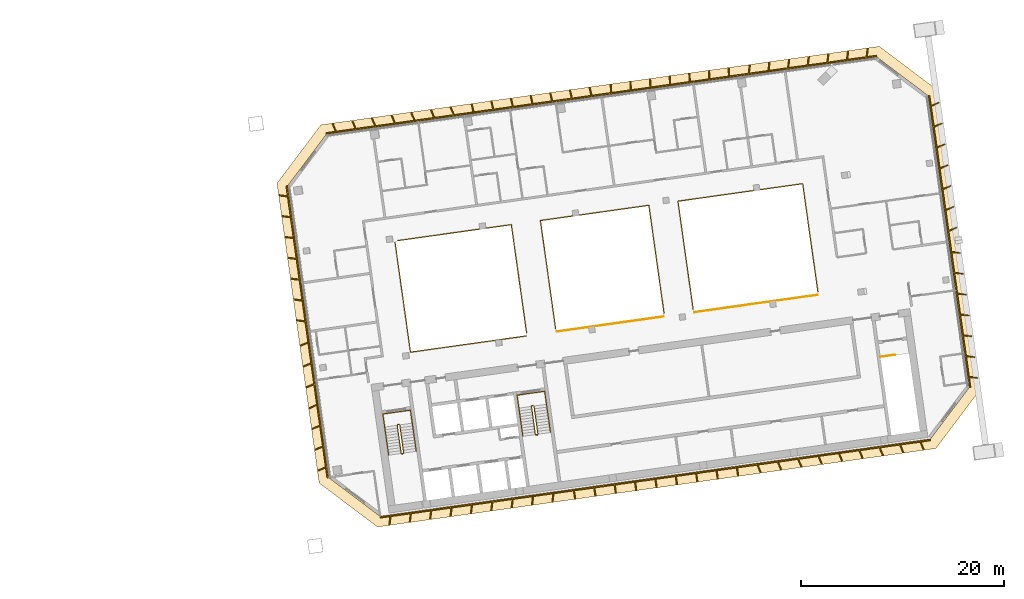
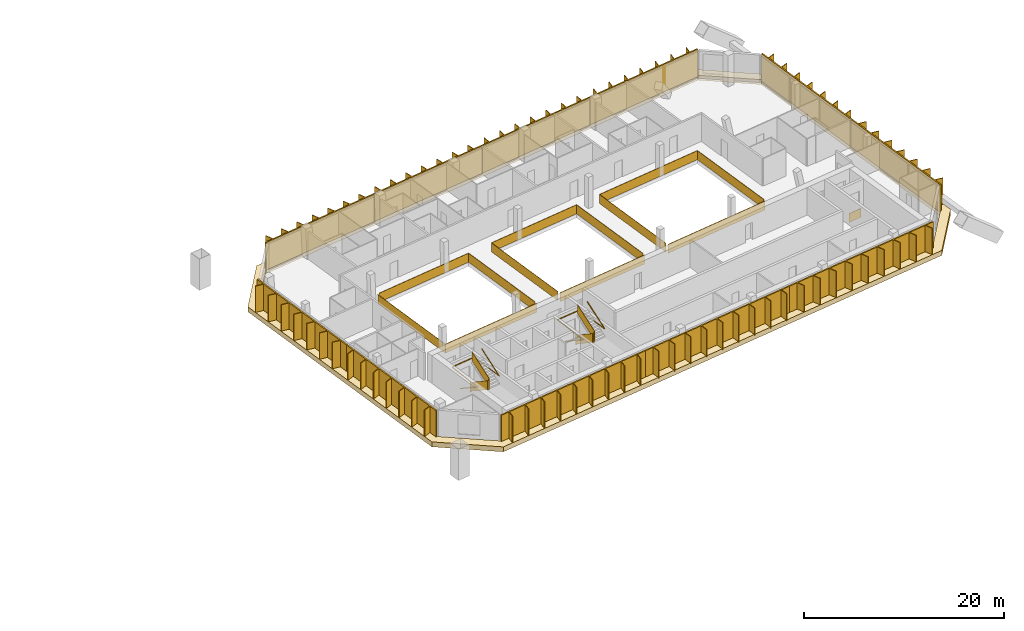
# One storey, part 32 of 32: 11 railings, 11 shading devices, 1 covering.
"""IFC4 building model written with IfcOpenShell, lengths in metres."""

from ifc_helpers import new_model, si_unit, direction, frame, origin, origin_2d, place, context, subcontext, project, spatial, polyline, rectangle, outline, extrude, material, layer, layer_set, type_object, element, save


model = new_model("IFC4")

# Units and contexts
model_context = context("Model", 3, precision=1e-05, world=origin(), true_north=direction((0.0, 1.0)))
body_context = subcontext(model_context, "Body", "Model", "MODEL_VIEW")
ifc_project = project(units=[si_unit("LENGTHUNIT", "METRE"), si_unit("AREAUNIT", "SQUARE_METRE"), si_unit("VOLUMEUNIT", "CUBIC_METRE"), si_unit("PLANEANGLEUNIT", "RADIAN"), si_unit("MASSUNIT", "GRAM", prefix="KILO")], contexts=[model_context])

# Site, building, storey
site_placement = place(None, origin())
site = spatial("IfcSite", under=ifc_project, at=site_placement, CompositionType="ELEMENT")
building_placement = place(site_placement, origin())
building = spatial("IfcBuilding", under=site, at=building_placement, Name="Mirante Cascada Hotel Towers", CompositionType="ELEMENT")
storey_placement = place(building_placement, frame((0.0, 0.0, 176.4)))
storey = spatial("IfcBuildingStorey", under=building, at=storey_placement, Name="L41", CompositionType="ELEMENT", Elevation=176.4)

# Railings
ifc_material_1 = material(Name="Toughened glass with stainless steel handrail", Category="steel")
railing_type_1 = type_object("IfcRailingType", Name="Atrium guard 1100 glass balustrade", PredefinedType="GUARDRAIL", material=ifc_material_1)
railing_1_placement = place(storey_placement, frame((37.864, 6.7125, 0.0)))
element("IfcRailing", 1, at=railing_1_placement, inside=storey, type_object=railing_type_1, Name="GUARD 2-L41-1", PredefinedType="GUARDRAIL", context=body_context, shape_type="SweptSolid", body=[
    extrude(rectangle(XDim=0.048, YDim=0.048, at=origin_2d()), frame((0.0, 0.0, 1.076), z_axis=(0.1391712, -0.9902683, 0.0), x_axis=(0.9902683, 0.1391712, 0.0)), (0.0, 0.0, 1.0), 10.9333),
    extrude(rectangle(XDim=0.02, YDim=1.052, at=origin_2d()), frame((0.0, 0.0, 0.526), z_axis=(0.1391712, -0.9902683, 0.0), x_axis=(0.9902683, 0.1391712, 0.0)), (0.0, 0.0, 1.0), 10.9333),
    extrude(rectangle(XDim=0.048, YDim=0.048, at=origin_2d()), frame((1.5216, -10.8269, 1.076), z_axis=(0.9902679, 0.139174, 0.0), x_axis=(-0.139174, 0.9902679, 0.0)), (0.0, 0.0, 1.0), 11.5266),
    extrude(rectangle(XDim=0.02, YDim=1.052, at=origin_2d()), frame((1.5216, -10.8269, 0.526), z_axis=(0.9902679, 0.139174, 0.0), x_axis=(-0.139174, 0.9902679, 0.0)), (0.0, 0.0, 1.0), 11.5266),
    extrude(rectangle(XDim=0.048, YDim=0.048, at=origin_2d()), frame((12.936, -9.2227, 1.076), z_axis=(-1.0, 0.0, 0.0), x_axis=(0.0, -1.0, 0.0)), (0.0, 0.0, 1.0), 0.0001),
    extrude(rectangle(XDim=0.02, YDim=1.052, at=origin_2d()), frame((12.936, -9.2227, 0.526), z_axis=(-1.0, 0.0, 0.0), x_axis=(0.0, -1.0, 0.0)), (0.0, 0.0, 1.0), 0.0001),
])
railing_2_placement = place(storey_placement, frame((53.7708, -2.0926, 0.0)))
element("IfcRailing", 2, at=railing_2_placement, inside=storey, type_object=railing_type_1, Name="GUARD 2-L41-2", PredefinedType="GUARDRAIL", context=body_context, shape_type="SweptSolid", body=[
    extrude(rectangle(XDim=0.048, YDim=0.048, at=origin_2d()), frame((0.0, 0.0, 1.076), z_axis=(0.9902684, 0.139171, 0.0), x_axis=(-0.139171, 0.9902684, 0.0)), (0.0, 0.0, 1.0), 10.6775),
    extrude(rectangle(XDim=0.02, YDim=1.052, at=origin_2d()), frame((0.0, 0.0, 0.526), z_axis=(0.9902684, 0.139171, 0.0), x_axis=(-0.139171, 0.9902684, 0.0)), (0.0, 0.0, 1.0), 10.6775),
])
railing_3_placement = place(storey_placement, frame((67.3152, -0.1891, 0.0)))
element("IfcRailing", 3, at=railing_3_placement, inside=storey, type_object=railing_type_1, Name="GUARD 2-L41-3", PredefinedType="GUARDRAIL", context=body_context, shape_type="SweptSolid", body=[
    extrude(rectangle(XDim=0.048, YDim=0.048, at=origin_2d()), frame((0.0, 0.0, 1.076), z_axis=(0.9902677, 0.1391757, 0.0), x_axis=(-0.1391757, 0.9902677, 0.0)), (0.0, 0.0, 1.0), 12.296),
    extrude(rectangle(XDim=0.02, YDim=1.052, at=origin_2d()), frame((0.0, 0.0, 0.526), z_axis=(0.9902677, 0.1391757, 0.0), x_axis=(-0.1391757, 0.9902677, 0.0)), (0.0, 0.0, 1.0), 12.296),
    extrude(rectangle(XDim=0.048, YDim=0.048, at=origin_2d()), frame((12.1763, 1.7113, 1.076), z_axis=(-0.9902511, -0.1392936, 0.0), x_axis=(0.1392936, -0.9902511, 0.0)), (0.0, 0.0, 1.0), 0.1185),
    extrude(rectangle(XDim=0.02, YDim=1.052, at=origin_2d()), frame((12.1763, 1.7113, 0.526), z_axis=(-0.9902511, -0.1392936, 0.0), x_axis=(0.1392936, -0.9902511, 0.0)), (0.0, 0.0, 1.0), 0.1185),
])
railing_4_placement = place(storey_placement, frame((50.8074, -2.2106, 0.0)))
element("IfcRailing", 4, at=railing_4_placement, inside=storey, type_object=railing_type_1, Name="GUARD 2-L41-4", PredefinedType="GUARDRAIL", context=body_context, shape_type="SweptSolid", body=[
    extrude(rectangle(XDim=0.048, YDim=0.048, at=origin_2d()), frame((0.0, 0.0, 1.076), z_axis=(-0.1391715, 0.9902683, 0.0), x_axis=(-0.9902683, -0.1391715, 0.0)), (0.0, 0.0, 1.0), 10.7544),
    extrude(rectangle(XDim=0.02, YDim=1.052, at=origin_2d()), frame((0.0, 0.0, 0.526), z_axis=(-0.1391715, 0.9902683, 0.0), x_axis=(-0.9902683, -0.1391715, 0.0)), (0.0, 0.0, 1.0), 10.7544),
    extrude(rectangle(XDim=0.048, YDim=0.048, at=origin_2d()), frame((-1.4967, 10.6497, 1.076), z_axis=(-0.9902689, -0.1391672, 0.0), x_axis=(0.1391672, -0.9902689, 0.0)), (0.0, 0.0, 1.0), 11.2994),
    extrude(rectangle(XDim=0.02, YDim=1.052, at=origin_2d()), frame((-1.4967, 10.6497, 0.526), z_axis=(-0.9902689, -0.1391672, 0.0), x_axis=(0.1391672, -0.9902689, 0.0)), (0.0, 0.0, 1.0), 11.2994),
])
railing_5_placement = place(storey_placement, frame((64.3518, -0.307, 0.0)))
element("IfcRailing", 5, at=railing_5_placement, inside=storey, type_object=railing_type_1, Name="GUARD 2-L41-5", PredefinedType="GUARDRAIL", context=body_context, shape_type="SweptSolid", body=[
    extrude(rectangle(XDim=0.048, YDim=0.048, at=origin_2d()), frame((0.0, 0.0, 1.076), z_axis=(-0.1391715, 0.9902683, 0.0), x_axis=(-0.9902683, -0.1391715, 0.0)), (0.0, 0.0, 1.0), 10.7544),
    extrude(rectangle(XDim=0.02, YDim=1.052, at=origin_2d()), frame((0.0, 0.0, 0.526), z_axis=(-0.1391715, 0.9902683, 0.0), x_axis=(-0.9902683, -0.1391715, 0.0)), (0.0, 0.0, 1.0), 10.7544),
    extrude(rectangle(XDim=0.048, YDim=0.048, at=origin_2d()), frame((-1.4967, 10.6497, 1.076), z_axis=(-0.9902677, -0.1391759, 0.0), x_axis=(0.1391759, -0.9902677, 0.0)), (0.0, 0.0, 1.0), 10.7756),
    extrude(rectangle(XDim=0.02, YDim=1.052, at=origin_2d()), frame((-1.4967, 10.6497, 0.526), z_axis=(-0.9902677, -0.1391759, 0.0), x_axis=(0.1391759, -0.9902677, 0.0)), (0.0, 0.0, 1.0), 10.7756),
    extrude(rectangle(XDim=0.048, YDim=0.048, at=origin_2d()), frame((-12.1674, 9.15, 1.076), z_axis=(0.1391715, -0.9902683, 0.0), x_axis=(0.9902683, 0.1391715, 0.0)), (0.0, 0.0, 1.0), 10.7544),
    extrude(rectangle(XDim=0.02, YDim=1.052, at=origin_2d()), frame((-12.1674, 9.15, 0.526), z_axis=(0.1391715, -0.9902683, 0.0), x_axis=(0.9902683, 0.1391715, 0.0)), (0.0, 0.0, 1.0), 10.7544),
])
railing_6_placement = place(storey_placement, frame((79.4999, 1.8217, 0.0)))
element("IfcRailing", 6, at=railing_6_placement, inside=storey, type_object=railing_type_1, Name="GUARD 2-L41-6", PredefinedType="GUARDRAIL", context=body_context, shape_type="SweptSolid", body=[
    extrude(rectangle(XDim=0.048, YDim=0.048, at=origin_2d()), frame((0.0, 0.0, 1.076), z_axis=(-0.1391689, 0.9902687, 0.0), x_axis=(-0.9902687, -0.1391689, 0.0)), (0.0, 0.0, 1.0), 10.7546),
    extrude(rectangle(XDim=0.02, YDim=1.052, at=origin_2d()), frame((0.0, 0.0, 0.526), z_axis=(-0.1391689, 0.9902687, 0.0), x_axis=(-0.9902687, -0.1391689, 0.0)), (0.0, 0.0, 1.0), 10.7546),
    extrude(rectangle(XDim=0.048, YDim=0.048, at=origin_2d()), frame((-1.4967, 10.6499, 1.076), z_axis=(-0.9902687, -0.1391688, 0.0), x_axis=(0.1391688, -0.9902687, 0.0)), (0.0, 0.0, 1.0), 12.395),
    extrude(rectangle(XDim=0.02, YDim=1.052, at=origin_2d()), frame((-1.4967, 10.6499, 0.526), z_axis=(-0.9902687, -0.1391688, 0.0), x_axis=(0.1391688, -0.9902687, 0.0)), (0.0, 0.0, 1.0), 12.395),
    extrude(rectangle(XDim=0.048, YDim=0.048, at=origin_2d()), frame((-13.7711, 8.9249, 1.076), z_axis=(0.1391702, -0.9902685, 0.0), x_axis=(0.9902685, 0.1391702, 0.0)), (0.0, 0.0, 1.0), 10.7545),
    extrude(rectangle(XDim=0.02, YDim=1.052, at=origin_2d()), frame((-13.7711, 8.9249, 0.526), z_axis=(0.1391702, -0.9902685, 0.0), x_axis=(0.9902685, 0.1391702, 0.0)), (0.0, 0.0, 1.0), 10.7545),
])

# Covering
ifc_material_2 = material(Name="Precast concrete C40/50 white", Category="concrete")
ifc_layer = layer(ifc_material_2, 0.6)
ifc_layer_set = layer_set([ifc_layer], Name="Precast concrete SUNSHADE band 1000x600")
covering_type = type_object("IfcCoveringType", Name="Precast concrete SUNSHADE band 1000x600", PredefinedType="CLADDING", material=ifc_layer_set)
covering_placement = place(storey_placement, frame((0.0, 0.0, -0.45)))
element("IfcCovering", 7, at=covering_placement, inside=storey, type_object=covering_type, Name="Precast concrete SUNSHADE band T2 L41", PredefinedType="CLADDING", context=body_context, shape_type="SweptSolid", body=[
    extrude(outline(polyline([(26.2308, 12.5311), (30.5593, 18.2752), (85.5574, 26.0046), (91.3015, 21.6761), (93.106, 8.8361), (93.0803, 8.8271), (93.0427, 8.8096), (93.007, 8.7886), (92.9735, 8.7641), (92.9425, 8.7365), (92.9145, 8.706), (92.8895, 8.6729), (92.868, 8.6375), (92.85, 8.6001), (92.8357, 8.5612), (92.8254, 8.521), (92.819, 8.4801), (92.8166, 8.4387), (92.8184, 8.3972), (92.8792, 7.7301), (92.885, 7.6891), (92.8947, 7.6488), (92.9084, 7.6097), (92.9259, 7.5721), (92.9469, 7.5363), (92.9714, 7.5029), (92.999, 7.4719), (93.0295, 7.4439), (93.0627, 7.4189), (93.0981, 7.3973), (93.1354, 7.3793), (93.1744, 7.3651), (93.2145, 7.3547), (93.2555, 7.3483), (93.2969, 7.346), (93.3154, 7.3468), (93.439, 6.4674), (93.421, 6.463), (93.3818, 6.4494), (93.3442, 6.4319), (93.3085, 6.4109), (93.275, 6.3865), (93.244, 6.3589), (93.2159, 6.3284), (93.191, 6.2953), (93.1694, 6.2599), (93.1513, 6.2225), (93.1371, 6.1836), (93.1267, 6.1435), (93.1202, 6.1025), (93.1179, 6.0611), (93.1196, 6.0197), (93.1253, 5.9786), (93.2508, 5.3206), (93.2605, 5.2803), (93.2742, 5.2412), (93.2916, 5.2036), (93.3126, 5.1678), (93.3371, 5.1343), (93.3647, 5.1034), (93.3951, 5.0753), (93.4283, 5.0503), (93.4636, 5.0287), (93.501, 5.0107), (93.5399, 4.9964), (93.58, 4.986), (93.621, 4.9796), (93.6483, 4.9781), (95.4528, -7.862), (91.1243, -13.6061), (36.1262, -21.3356), (30.3821, -17.0071), (26.2308, 12.5311)]), holes=[polyline([(94.4049, -7.591), (90.3689, 21.1268), (85.2864, 24.9567), (31.1086, 17.3425), (27.2787, 12.26), (31.3147, -16.4577), (36.3972, -20.2877), (90.575, -12.6735), (94.4049, -7.591)])]), origin(), (0.0, 0.0, 1.0), 0.6),
])

# Railings
ifc_material_3 = material(Name="Painted steel", Category="steel")
railing_type_2 = type_object("IfcRailingType", Name="Stair guard 1100 steel balustrade", PredefinedType="GUARDRAIL", material=ifc_material_3)
railing_7_placement = place(storey_placement, frame((38.2663, -11.2395, 0.0)))
element("IfcRailing", 8, at=railing_7_placement, inside=storey, type_object=railing_type_2, Name="L41 ST2-A stair guard 1", PredefinedType="GUARDRAIL", context=body_context, shape_type="SweptSolid", body=[
    extrude(rectangle(XDim=0.048, YDim=0.048, at=origin_2d()), frame((0.0, 0.0, 1.076), z_axis=(-0.9903326, -0.1387133, 0.0), x_axis=(0.1387133, -0.9903326, 0.0)), (0.0, 0.0, 1.0), 0.1499),
    extrude(rectangle(XDim=0.02, YDim=1.052, at=origin_2d()), frame((0.0, 0.0, 0.526), z_axis=(-0.9903326, -0.1387133, 0.0), x_axis=(0.1387133, -0.9903326, 0.0)), (0.0, 0.0, 1.0), 0.1499),
    extrude(rectangle(XDim=0.048, YDim=0.048, at=origin_2d()), frame((-0.1485, -0.0208, 1.076), z_axis=(-0.6020331, -0.7984711, 0.0), x_axis=(0.7984711, -0.6020331, 0.0)), (0.0, 0.9253398, 0.3791387), 0.1866),
    extrude(rectangle(XDim=0.02, YDim=1.052, at=origin_2d()), frame((-0.1485, -0.0208, 0.526), z_axis=(-0.6020331, -0.7984711, 0.0), x_axis=(0.7984711, -0.6020331, 0.0)), (0.0, 0.9253398, 0.3791387), 0.1866),
    extrude(rectangle(XDim=0.048, YDim=0.048, at=origin_2d()), frame((-0.1911, -0.0773, 1.2487), z_axis=(0.139176, -0.9902677, 0.0), x_axis=(0.9902677, 0.139176, 0.0)), (0.0, 0.5250212, 0.8510891), 3.29),
    extrude(rectangle(XDim=0.02, YDim=1.052, at=origin_2d()), frame((-0.1911, -0.0773, 0.6987), z_axis=(0.139176, -0.9902677, 0.0), x_axis=(0.9902677, 0.139176, 0.0)), (0.0, 0.5250212, 0.8510891), 3.29),
    extrude(rectangle(XDim=0.048, YDim=0.048, at=origin_2d()), frame((0.1986, -2.8501, 2.976), z_axis=(0.9944948, -0.1047858, 0.0), x_axis=(0.1047858, 0.9944948, 0.0)), (0.0, 0.0, 1.0), 0.2061),
    extrude(rectangle(XDim=0.02, YDim=1.052, at=origin_2d()), frame((0.1986, -2.8501, 2.426), z_axis=(0.9944948, -0.1047858, 0.0), x_axis=(0.1047858, 0.9944948, 0.0)), (0.0, 0.0, 1.0), 0.2061),
    extrude(rectangle(XDim=0.048, YDim=0.048, at=origin_2d()), frame((0.4036, -2.8717, 2.976), z_axis=(-0.9902408, -0.1393672, 0.0), x_axis=(0.1393672, -0.9902408, 0.0)), (0.0, 0.0, 1.0), 0.15),
    extrude(rectangle(XDim=0.02, YDim=1.052, at=origin_2d()), frame((0.4036, -2.8717, 2.426), z_axis=(-0.9902408, -0.1393672, 0.0), x_axis=(0.1393672, -0.9902408, 0.0)), (0.0, 0.0, 1.0), 0.15),
    extrude(rectangle(XDim=0.048, YDim=0.048, at=origin_2d()), frame((0.2551, -2.8926, 2.976), z_axis=(0.9270311, 0.3749843, 0.0), x_axis=(-0.3749843, 0.9270311, 0.0)), (0.0, 0.6421903, 0.7665452), 0.2689),
    extrude(rectangle(XDim=0.02, YDim=1.052, at=origin_2d()), frame((0.2551, -2.8926, 2.426), z_axis=(0.9270311, 0.3749843, 0.0), x_axis=(-0.3749843, 0.9270311, 0.0)), (0.0, 0.6421903, 0.7665452), 0.2689),
    extrude(rectangle(XDim=0.048, YDim=0.048, at=origin_2d()), frame((0.4462, -2.8153, 3.1487), z_axis=(-0.139176, 0.9902677, 0.0), x_axis=(-0.9902677, -0.139176, 0.0)), (0.0, 0.5250212, 0.8510891), 3.29),
    extrude(rectangle(XDim=0.02, YDim=1.052, at=origin_2d()), frame((0.4462, -2.8153, 2.5987), z_axis=(-0.139176, 0.9902677, 0.0), x_axis=(-0.9902677, -0.139176, 0.0)), (0.0, 0.5250212, 0.8510891), 3.29),
])
railing_8_placement = place(storey_placement, frame((51.4864, -9.3815, 0.0)))
element("IfcRailing", 9, at=railing_8_placement, inside=storey, type_object=railing_type_2, Name="L41 ST2-B stair guard 1", PredefinedType="GUARDRAIL", context=body_context, shape_type="SweptSolid", body=[
    extrude(rectangle(XDim=0.048, YDim=0.048, at=origin_2d()), frame((0.0, 0.0, 1.076), z_axis=(-0.9902408, -0.1393672, 0.0), x_axis=(0.1393672, -0.9902408, 0.0)), (0.0, 0.0, 1.0), 0.15),
    extrude(rectangle(XDim=0.02, YDim=1.052, at=origin_2d()), frame((0.0, 0.0, 0.526), z_axis=(-0.9902408, -0.1393672, 0.0), x_axis=(0.1393672, -0.9902408, 0.0)), (0.0, 0.0, 1.0), 0.15),
    extrude(rectangle(XDim=0.048, YDim=0.048, at=origin_2d()), frame((-0.1485, -0.0209, 1.076), z_axis=(-0.6020331, -0.7984711, 0.0), x_axis=(0.7984711, -0.6020331, 0.0)), (0.0, 0.9253398, 0.3791387), 0.1866),
    extrude(rectangle(XDim=0.02, YDim=1.052, at=origin_2d()), frame((-0.1485, -0.0209, 0.526), z_axis=(-0.6020331, -0.7984711, 0.0), x_axis=(0.7984711, -0.6020331, 0.0)), (0.0, 0.9253398, 0.3791387), 0.1866),
    extrude(rectangle(XDim=0.048, YDim=0.048, at=origin_2d()), frame((-0.1911, -0.0774, 1.2487), z_axis=(0.139181, -0.990267, 0.0), x_axis=(0.990267, 0.139181, 0.0)), (0.0, 0.5250347, 0.8510808), 3.2899),
    extrude(rectangle(XDim=0.02, YDim=1.052, at=origin_2d()), frame((-0.1911, -0.0774, 0.6987), z_axis=(0.139181, -0.990267, 0.0), x_axis=(0.990267, 0.139181, 0.0)), (0.0, 0.5250347, 0.8510808), 3.2899),
    extrude(rectangle(XDim=0.048, YDim=0.048, at=origin_2d()), frame((0.1986, -2.8501, 2.976), z_axis=(0.9944441, -0.1052656, 0.0), x_axis=(0.1052656, 0.9944441, 0.0)), (0.0, 0.0, 1.0), 0.2061),
    extrude(rectangle(XDim=0.02, YDim=1.052, at=origin_2d()), frame((0.1986, -2.8501, 2.426), z_axis=(0.9944441, -0.1052656, 0.0), x_axis=(0.1052656, 0.9944441, 0.0)), (0.0, 0.0, 1.0), 0.2061),
    extrude(rectangle(XDim=0.048, YDim=0.048, at=origin_2d()), frame((0.4036, -2.8718, 2.976), z_axis=(-0.9902408, -0.1393672, 0.0), x_axis=(0.1393672, -0.9902408, 0.0)), (0.0, 0.0, 1.0), 0.15),
    extrude(rectangle(XDim=0.02, YDim=1.052, at=origin_2d()), frame((0.4036, -2.8718, 2.426), z_axis=(-0.9902408, -0.1393672, 0.0), x_axis=(0.1393672, -0.9902408, 0.0)), (0.0, 0.0, 1.0), 0.15),
    extrude(rectangle(XDim=0.048, YDim=0.048, at=origin_2d()), frame((0.2551, -2.8927, 2.976), z_axis=(0.9268624, 0.3754011, 0.0), x_axis=(-0.3754011, 0.9268624, 0.0)), (0.0, 0.6421217, 0.7666028), 0.269),
    extrude(rectangle(XDim=0.02, YDim=1.052, at=origin_2d()), frame((0.2551, -2.8927, 2.426), z_axis=(0.9268624, 0.3754011, 0.0), x_axis=(-0.3754011, 0.9268624, 0.0)), (0.0, 0.6421217, 0.7666028), 0.269),
    extrude(rectangle(XDim=0.048, YDim=0.048, at=origin_2d()), frame((0.4462, -2.8153, 3.1487), z_axis=(-0.139181, 0.990267, 0.0), x_axis=(-0.990267, -0.139181, 0.0)), (0.0, 0.5250347, 0.8510808), 3.2899),
    extrude(rectangle(XDim=0.02, YDim=1.052, at=origin_2d()), frame((0.4462, -2.8153, 2.5987), z_axis=(-0.139181, 0.990267, 0.0), x_axis=(-0.990267, -0.139181, 0.0)), (0.0, 0.5250347, 0.8510808), 3.2899),
])
railing_9_placement = place(storey_placement, frame((85.6507, -4.58, 0.0)))
element("IfcRailing", 10, at=railing_9_placement, inside=storey, type_object=railing_type_2, Name="L41 ST2-C top well guard 1", PredefinedType="GUARDRAIL", context=body_context, shape_type="SweptSolid", body=[
    extrude(rectangle(XDim=0.048, YDim=0.048, at=origin_2d()), frame((0.0, 0.0, 1.076), z_axis=(0.9902735, 0.1391343, 0.0), x_axis=(-0.1391343, 0.9902735, 0.0)), (0.0, 0.0, 1.0), 1.5),
    extrude(rectangle(XDim=0.02, YDim=1.052, at=origin_2d()), frame((0.0, 0.0, 0.526), z_axis=(0.9902735, 0.1391343, 0.0), x_axis=(-0.1391343, 0.9902735, 0.0)), (0.0, 0.0, 1.0), 1.5),
])
ifc_material_4 = material(Name="Painted steel", Category="steel")
railing_type_3 = type_object("IfcRailingType", Name="Stair handrail 900 steel tube", PredefinedType="HANDRAIL", material=ifc_material_4)
railing_10_placement = place(storey_placement, frame((36.8374, -11.4908, 0.1727)))
element("IfcRailing", 11, at=railing_10_placement, inside=storey, type_object=railing_type_3, Name="L41 ST2-A stair handrail 1", PredefinedType="HANDRAIL", context=body_context, shape_type="SweptSolid", body=[
    extrude(rectangle(XDim=0.048, YDim=0.048, at=origin_2d()), frame((0.0, 0.0, 0.876), z_axis=(0.139181, -0.990267, 0.0), x_axis=(0.990267, 0.139181, 0.0)), (0.0, 0.5250347, 0.8510808), 3.2899),
    extrude(rectangle(XDim=0.048, YDim=0.048, at=origin_2d()), frame((0.3897, -2.7727, 2.6033), z_axis=(-0.1391707, 0.9902684, 0.0), x_axis=(-0.9902684, -0.1391707, 0.0)), (0.0, 0.0420846, 0.999114), 4.1036),
    extrude(rectangle(XDim=0.048, YDim=0.048, at=origin_2d()), frame((-0.1809, 1.2874, 2.776), z_axis=(0.9902691, 0.1391657, 0.0), x_axis=(-0.1391657, 0.9902691, 0.0)), (0.0, 0.0, 1.0), 2.75),
    extrude(rectangle(XDim=0.048, YDim=0.048, at=origin_2d()), frame((2.5423, 1.6701, 2.776), z_axis=(0.1391707, -0.9902684, 0.0), x_axis=(0.9902684, 0.1391707, 0.0)), (0.0, 0.0, 1.0), 4.1),
    extrude(rectangle(XDim=0.048, YDim=0.048, at=origin_2d()), frame((3.1129, -2.39, 2.776), z_axis=(-0.139181, 0.990267, 0.0), x_axis=(-0.990267, -0.139181, 0.0)), (0.0, 0.5250347, 0.8510808), 3.2899),
])
railing_11_placement = place(storey_placement, frame((50.0575, -9.6328, 0.1727)))
element("IfcRailing", 12, at=railing_11_placement, inside=storey, type_object=railing_type_3, Name="L41 ST2-B stair handrail 1", PredefinedType="HANDRAIL", context=body_context, shape_type="SweptSolid", body=[
    extrude(rectangle(XDim=0.048, YDim=0.048, at=origin_2d()), frame((0.0, 0.0, 0.876), z_axis=(0.139176, -0.9902677, 0.0), x_axis=(0.9902677, 0.139176, 0.0)), (0.0, 0.5250212, 0.8510891), 3.29),
    extrude(rectangle(XDim=0.048, YDim=0.048, at=origin_2d()), frame((0.3897, -2.7728, 2.6033), z_axis=(-0.1391707, 0.9902684, 0.0), x_axis=(-0.9902684, -0.1391707, 0.0)), (0.0, 0.0420846, 0.999114), 4.1036),
    extrude(rectangle(XDim=0.048, YDim=0.048, at=origin_2d()), frame((-0.1809, 1.2873, 2.776), z_axis=(0.9902641, 0.1392013, 0.0), x_axis=(-0.1392013, 0.9902641, 0.0)), (0.0, 0.0, 1.0), 2.75),
    extrude(rectangle(XDim=0.048, YDim=0.048, at=origin_2d()), frame((2.5423, 1.6701, 2.776), z_axis=(0.1391707, -0.9902684, 0.0), x_axis=(0.9902684, 0.1391707, 0.0)), (0.0, 0.0, 1.0), 4.1),
    extrude(rectangle(XDim=0.048, YDim=0.048, at=origin_2d()), frame((3.1129, -2.39, 2.776), z_axis=(-0.139181, 0.990267, 0.0), x_axis=(-0.990267, -0.139181, 0.0)), (0.0, 0.5250347, 0.8510808), 3.2899),
])

# Shading devices
ifc_material_5 = material(Name="White precast concrete C50/60 fin", Category="concrete")
shading_device_type = type_object("IfcShadingDeviceType", Name="Vertical fin set 4500x900", PredefinedType="USERDEFINED", material=ifc_material_5)
shading_device_1_placement = place(storey_placement, origin())
element("IfcShadingDevice", 13, at=shading_device_1_placement, inside=storey, type_object=shading_device_type, Name="FIN T2 L41 front 1", ObjectType="FIN", PredefinedType="USERDEFINED", context=body_context, shape_type="SweptSolid", body=[
    extrude(outline(polyline([(72.8449, 24.1766), (72.7428, 23.3453), (74.5957, 23.6057), (74.7004, 24.4583), (74.7798, 24.4485), (74.6777, 23.6172), (76.5306, 23.8777), (76.6353, 24.7302), (76.7147, 24.7205), (76.6127, 23.8892), (78.4656, 24.1496), (78.5702, 25.0021), (78.6496, 24.9924), (78.5476, 24.1611), (80.4005, 24.4215), (80.5052, 25.2741), (80.5846, 25.2643), (80.4825, 24.433), (82.3354, 24.6935), (82.4401, 25.546), (82.5195, 25.5363), (82.4174, 24.705), (84.2703, 24.9654), (84.375, 25.8179), (84.4544, 25.8082), (84.3523, 24.9769), (85.2655, 25.1053), (85.2864, 24.9567), (71.742, 23.0532), (71.7211, 23.2017), (72.6608, 23.3338), (72.7655, 24.1863), (72.8449, 24.1766)])), origin(), (0.0, 0.0, 1.0), 3.35),
])
shading_device_2_placement = place(storey_placement, origin())
element("IfcShadingDevice", 14, at=shading_device_2_placement, inside=storey, type_object=shading_device_type, Name="FIN T2 L41 front 2", ObjectType="FIN", PredefinedType="USERDEFINED", context=body_context, shape_type="SweptSolid", body=[
    extrude(outline(polyline([(59.1439, 22.2855), (59.1882, 21.4403), (61.0436, 21.7011), (60.9989, 22.5532), (61.0788, 22.5574), (61.1231, 21.7123), (62.9785, 21.973), (62.9339, 22.8252), (63.0137, 22.8294), (63.058, 21.9842), (64.9134, 22.245), (64.8688, 23.0971), (64.9487, 23.1013), (64.993, 22.2561), (66.8484, 22.5169), (66.8037, 23.369), (66.8836, 23.3732), (66.9279, 22.5281), (68.7833, 22.7888), (68.7386, 23.641), (68.8185, 23.6452), (68.8628, 22.8), (70.7182, 23.0608), (70.6735, 23.9129), (70.7534, 23.9171), (70.7977, 23.0719), (71.7211, 23.2017), (71.742, 23.0532), (58.1975, 21.1496), (58.1766, 21.2982), (59.1087, 21.4292), (59.064, 22.2813), (59.1439, 22.2855)])), origin(), (0.0, 0.0, 1.0), 3.35),
])
shading_device_3_placement = place(storey_placement, origin())
element("IfcShadingDevice", 15, at=shading_device_3_placement, inside=storey, type_object=shading_device_type, Name="FIN T2 L41 front 3", ObjectType="FIN", PredefinedType="USERDEFINED", context=body_context, shape_type="SweptSolid", body=[
    extrude(outline(polyline([(45.4431, 20.367), (45.6351, 19.5356), (47.4905, 19.7963), (47.3001, 20.6209), (47.3781, 20.6389), (47.57, 19.8075), (49.4254, 20.0683), (49.235, 20.8929), (49.313, 20.9109), (49.5049, 20.0794), (51.3603, 20.3402), (51.17, 21.1648), (51.2479, 21.1828), (51.4399, 20.3514), (53.2952, 20.6121), (53.1049, 21.4368), (53.1828, 21.4547), (53.3748, 20.6233), (55.2302, 20.8841), (55.0398, 21.7087), (55.1177, 21.7267), (55.3097, 20.8952), (57.1651, 21.156), (56.9747, 21.9806), (57.0527, 21.9986), (57.2446, 21.1672), (58.1766, 21.2982), (58.1975, 21.1496), (44.6531, 19.2461), (44.6322, 19.3946), (45.5556, 19.5244), (45.3652, 20.349), (45.4431, 20.367)])), origin(), (0.0, 0.0, 1.0), 3.35),
])
shading_device_4_placement = place(storey_placement, origin())
element("IfcShadingDevice", 16, at=shading_device_4_placement, inside=storey, type_object=shading_device_type, Name="FIN T2 L41 front 4", ObjectType="FIN", PredefinedType="USERDEFINED", context=body_context, shape_type="SweptSolid", body=[
    extrude(outline(polyline([(31.7473, 18.4216), (32.083, 17.6309), (33.9359, 17.8913), (33.6086, 18.6623), (33.6823, 18.6935), (34.0179, 17.9029), (35.8708, 18.1633), (35.5435, 18.9342), (35.6172, 18.9655), (35.9528, 18.1748), (37.8057, 18.4352), (37.4785, 19.2062), (37.5521, 19.2374), (37.8877, 18.4467), (39.7406, 18.7072), (39.4134, 19.4781), (39.487, 19.5094), (39.8226, 18.7187), (41.6755, 18.9791), (41.3483, 19.75), (41.4219, 19.7813), (41.7576, 18.9906), (43.6105, 19.251), (43.2832, 20.022), (43.3569, 20.0532), (43.6925, 19.2626), (44.6322, 19.3946), (44.6531, 19.2461), (31.1086, 17.3425), (31.0878, 17.4911), (32.001, 17.6194), (31.6737, 18.3904), (31.7473, 18.4216)])), origin(), (0.0, 0.0, 1.0), 3.35),
])
shading_device_5_placement = place(storey_placement, origin())
element("IfcShadingDevice", 17, at=shading_device_5_placement, inside=storey, type_object=shading_device_type, Name="FIN T2 L41 inner 1", ObjectType="FIN", PredefinedType="USERDEFINED", context=body_context, shape_type="SweptSolid", body=[
    extrude(outline(polyline([(28.1651, -0.9377), (28.9964, -1.0398), (28.7197, 0.9294), (27.8671, 1.0341), (27.8769, 1.1135), (28.7081, 1.0115), (28.4314, 2.9807), (27.5788, 3.0854), (27.5886, 3.1648), (28.4198, 3.0627), (28.1431, 5.032), (27.2905, 5.1367), (27.3003, 5.2161), (28.1316, 5.114), (27.8548, 7.0833), (27.0022, 7.1879), (27.012, 7.2673), (27.8433, 7.1653), (27.5665, 9.1345), (26.714, 9.2392), (26.7237, 9.3186), (27.555, 9.2165), (27.2782, 11.1858), (26.4257, 11.2905), (26.4354, 11.3699), (27.2667, 11.2678), (27.1302, 12.2392), (27.2787, 12.26), (29.2967, -2.0988), (29.1482, -2.1197), (29.0079, -1.1218), (28.1554, -1.0171), (28.1651, -0.9377)])), origin(), (0.0, 0.0, 1.0), 3.35),
])
shading_device_6_placement = place(storey_placement, origin())
element("IfcShadingDevice", 18, at=shading_device_6_placement, inside=storey, type_object=shading_device_type, Name="FIN T2 L41 inner 2", ObjectType="FIN", PredefinedType="USERDEFINED", context=body_context, shape_type="SweptSolid", body=[
    extrude(outline(polyline([(30.2275, -15.7608), (31.0182, -15.4252), (30.7414, -13.456), (29.9705, -13.7832), (29.9392, -13.7096), (30.7299, -13.374), (30.4531, -11.4047), (29.6822, -11.7319), (29.6509, -11.6583), (30.4416, -11.3227), (30.1648, -9.3534), (29.3939, -9.6807), (29.3626, -9.607), (30.1533, -9.2714), (29.8765, -7.3022), (29.1056, -7.6294), (29.0743, -7.5558), (29.865, -7.2201), (29.5882, -5.2509), (28.8173, -5.5781), (28.786, -5.5045), (29.5767, -5.1689), (29.3, -3.1996), (28.529, -3.5269), (28.4978, -3.4532), (29.2884, -3.1176), (29.1482, -2.1197), (29.2967, -2.0988), (31.3147, -16.4577), (31.1662, -16.4786), (31.0297, -15.5072), (30.2587, -15.8345), (30.2275, -15.7608)])), origin(), (0.0, 0.0, 1.0), 3.35),
])
shading_device_7_placement = place(storey_placement, origin())
element("IfcShadingDevice", 19, at=shading_device_7_placement, inside=storey, type_object=shading_device_type, Name="FIN T2 L41 outer 1", ObjectType="FIN", PredefinedType="USERDEFINED", context=body_context, shape_type="SweptSolid", body=[
    extrude(outline(polyline([(95.2482, -6.7008), (94.4169, -6.5987), (94.5534, -7.5701), (94.4049, -7.591), (92.3869, 6.7679), (92.5354, 6.7888), (92.6757, 5.7909), (93.5282, 5.6862), (93.5185, 5.6068), (92.6872, 5.7089), (92.964, 3.7396), (93.8165, 3.6349), (93.8068, 3.5555), (92.9755, 3.6576), (93.2522, 1.6883), (94.1048, 1.5837), (94.095, 1.5043), (93.2638, 1.6063), (93.5405, -0.3629), (94.3931, -0.4676), (94.3833, -0.547), (93.5521, -0.4449), (93.8288, -2.4142), (94.6814, -2.5189), (94.6716, -2.5983), (93.8403, -2.4962), (94.1171, -4.4655), (94.9697, -4.5701), (94.9599, -4.6495), (94.1286, -4.5475), (94.4054, -6.5167), (95.2579, -6.6214), (95.2482, -6.7008)])), origin(), (0.0, 0.0, 1.0), 3.35),
])
shading_device_8_placement = place(storey_placement, origin())
element("IfcShadingDevice", 20, at=shading_device_8_placement, inside=storey, type_object=shading_device_type, Name="FIN T2 L41 outer 2", ObjectType="FIN", PredefinedType="USERDEFINED", context=body_context, shape_type="SweptSolid", body=[
    extrude(outline(polyline([(93.1859, 8.1223), (92.3952, 7.7867), (92.5354, 6.7888), (92.3869, 6.7679), (90.3689, 21.1268), (90.5174, 21.1477), (90.6539, 20.1763), (91.4249, 20.5036), (91.4561, 20.4299), (90.6655, 20.0943), (90.9422, 18.125), (91.7132, 18.4523), (91.7444, 18.3786), (90.9537, 18.043), (91.2305, 16.0738), (92.0014, 16.401), (92.0327, 16.3274), (91.242, 15.9918), (91.5188, 14.0225), (92.2897, 14.3497), (92.321, 14.2761), (91.5303, 13.9405), (91.8071, 11.9712), (92.578, 12.2985), (92.6093, 12.2248), (91.8186, 11.8892), (92.0954, 9.92), (92.8663, 10.2472), (92.8976, 10.1736), (92.1069, 9.8379), (92.3837, 7.8687), (93.1546, 8.1959), (93.1859, 8.1223)])), origin(), (0.0, 0.0, 1.0), 3.35),
])
shading_device_9_placement = place(storey_placement, origin())
element("IfcShadingDevice", 21, at=shading_device_9_placement, inside=storey, type_object=shading_device_type, Name="FIN T2 L41 rear 1", ObjectType="FIN", PredefinedType="USERDEFINED", context=body_context, shape_type="SweptSolid", body=[
    extrude(outline(polyline([(37.265, -21.1341), (37.3671, -20.3028), (36.4181, -20.4362), (36.3972, -20.2877), (54.4565, -17.7496), (54.4773, -17.8981), (53.5018, -18.0352), (53.3971, -18.8878), (53.3177, -18.878), (53.4198, -18.0468), (51.4952, -18.3172), (51.3905, -19.1698), (51.3111, -19.16), (51.4132, -18.3288), (49.4886, -18.5992), (49.3839, -19.4518), (49.3045, -19.4421), (49.4066, -18.6108), (47.482, -18.8813), (47.3774, -19.7338), (47.298, -19.7241), (47.4, -18.8928), (45.4755, -19.1633), (45.3708, -20.0158), (45.2914, -20.0061), (45.3934, -19.1748), (43.4689, -19.4453), (43.3642, -20.2978), (43.2848, -20.2881), (43.3869, -19.4568), (41.4623, -19.7273), (41.3576, -20.5798), (41.2782, -20.5701), (41.3803, -19.7388), (39.4557, -20.0093), (39.351, -20.8618), (39.2716, -20.8521), (39.3737, -20.0208), (37.4491, -20.2913), (37.3444, -21.1438), (37.265, -21.1341)])), origin(), (0.0, 0.0, 1.0), 3.35),
])
shading_device_10_placement = place(storey_placement, origin())
element("IfcShadingDevice", 22, at=shading_device_10_placement, inside=storey, type_object=shading_device_type, Name="FIN T2 L41 rear 2", ObjectType="FIN", PredefinedType="USERDEFINED", context=body_context, shape_type="SweptSolid", body=[
    extrude(outline(polyline([(55.5593, -18.6044), (55.441, -17.7627), (54.4773, -17.8981), (54.4565, -17.7496), (72.5157, -15.2115), (72.5366, -15.3601), (71.5729, -15.4955), (71.6912, -16.3372), (71.612, -16.3484), (71.4937, -15.5066), (69.5663, -15.7775), (69.6846, -16.6192), (69.6054, -16.6304), (69.4871, -15.7886), (67.5597, -16.0595), (67.678, -16.9012), (67.5988, -16.9124), (67.4805, -16.0707), (65.5532, -16.3415), (65.6715, -17.1833), (65.5922, -17.1944), (65.4739, -16.3527), (63.5466, -16.6235), (63.6649, -17.4653), (63.5857, -17.4764), (63.4674, -16.6347), (61.54, -16.9055), (61.6583, -17.7473), (61.5791, -17.7584), (61.4608, -16.9167), (59.5334, -17.1875), (59.6517, -18.0293), (59.5725, -18.0404), (59.4542, -17.1987), (57.5268, -17.4696), (57.6451, -18.3113), (57.5659, -18.3224), (57.4476, -17.4807), (55.5202, -17.7516), (55.6385, -18.5933), (55.5593, -18.6044)])), origin(), (0.0, 0.0, 1.0), 3.35),
])
shading_device_11_placement = place(storey_placement, origin())
element("IfcShadingDevice", 23, at=shading_device_11_placement, inside=storey, type_object=shading_device_type, Name="FIN T2 L41 rear 3", ObjectType="FIN", PredefinedType="USERDEFINED", context=body_context, shape_type="SweptSolid", body=[
    extrude(outline(polyline([(73.8478, -16.0136), (73.5121, -15.223), (72.5366, -15.3601), (72.5157, -15.2115), (90.575, -12.6735), (90.5958, -12.822), (89.6468, -12.9554), (89.9741, -13.7263), (89.9004, -13.7576), (89.5648, -12.9669), (87.6402, -13.2374), (87.9675, -14.0083), (87.8939, -14.0396), (87.5582, -13.2489), (85.6337, -13.5194), (85.9609, -14.2903), (85.8873, -14.3216), (85.5516, -13.5309), (83.6271, -13.8014), (83.9543, -14.5723), (83.8807, -14.6036), (83.5451, -13.8129), (81.6205, -14.0834), (81.9477, -14.8543), (81.8741, -14.8856), (81.5385, -14.0949), (79.6139, -14.3654), (79.9412, -15.1364), (79.8675, -15.1676), (79.5319, -14.3769), (77.6073, -14.6474), (77.9346, -15.4184), (77.8609, -15.4496), (77.5253, -14.659), (75.6007, -14.9294), (75.928, -15.7004), (75.8544, -15.7316), (75.5187, -14.941), (73.5942, -15.2114), (73.9214, -15.9824), (73.8478, -16.0136)])), origin(), (0.0, 0.0, 1.0), 3.35),
])

save(model, "model.ifc")
